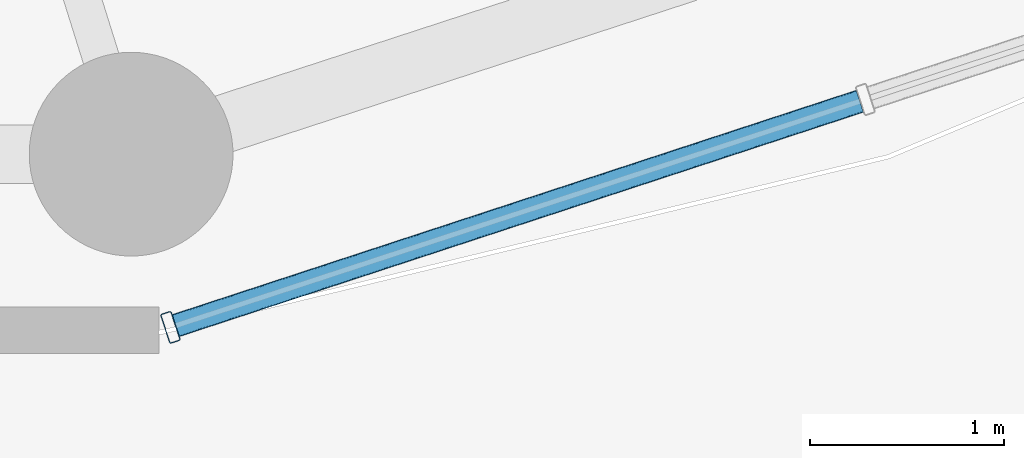
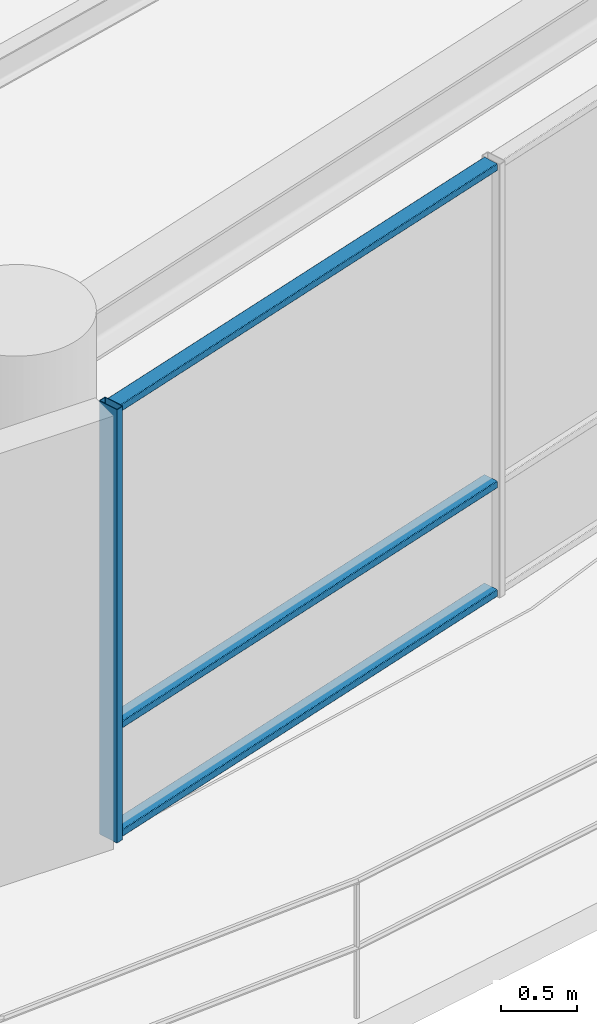
# One storey, part 4 of 30: 4 members, 1 element without a shape of its own.
"""IFC4 building model written with IfcOpenShell, lengths in metres."""

from ifc_helpers import new_model, si_unit, direction, frame, origin, origin_2d, place, context, subcontext, project, spatial, hollow_rectangle, extrude, material, layer, layer_set, material_profile, profile_set, type_object, element, aggregate, save


model = new_model("IFC4")

# Units and contexts
model_context = context("Model", 3, precision=1e-05, world=origin(), true_north=direction((0.0, 1.0)))
body_context = subcontext(model_context, "Body", "Model", "MODEL_VIEW")
ifc_project = project(units=[si_unit("LENGTHUNIT", "METRE"), si_unit("AREAUNIT", "SQUARE_METRE"), si_unit("VOLUMEUNIT", "CUBIC_METRE"), si_unit("PLANEANGLEUNIT", "RADIAN"), si_unit("MASSUNIT", "GRAM", prefix="KILO")], contexts=[model_context])

# Site, building, storey
site_placement = place(None, origin())
site = spatial("IfcSite", under=ifc_project, at=site_placement, CompositionType="ELEMENT")
building_placement = place(site_placement, origin())
building = spatial("IfcBuilding", under=site, at=building_placement, Name="Kelanora Arch Commons", CompositionType="ELEMENT")
storey_placement = place(building_placement, frame((0.0, 0.0, 215.699951171875)))
storey = spatial("IfcBuildingStorey", under=building, at=storey_placement, Name="L55", CompositionType="ELEMENT", Elevation=215.699951171875)

# Curtain wall, members
ifc_material_1 = material(Name="Terracotta ceramic-fritted low-E glass and aluminium", Category="masonry")
ifc_layer = layer(ifc_material_1, 0.175048828125)
ifc_layer_set = layer_set([ifc_layer], Name="Terracotta ceramic-fritted low-E glass and aluminium")
curtain_wall_type = type_object("IfcCurtainWallType", Name="CW-SYS-02", PredefinedType="NOTDEFINED", material=ifc_layer_set)
curtain_wall_placement = place(storey_placement, origin())
curtain_wall = element("IfcCurtainWall", 1, at=curtain_wall_placement, inside=storey, type_object=curtain_wall_type, Name="Unitised Curtain Wall L55-B14", PredefinedType="NOTDEFINED")
ifc_material_2 = material(Name="Powder-coated aluminium terracotta", Category="masonry")
ifc_material_profile_1 = material_profile(ifc_material_2, hollow_rectangle(XDim=0.159912109375, YDim=0.06005859375, WallThickness=0.0048828125, InnerFilletRadius=0.0048828125, OuterFilletRadius=0.010009765625, at=origin_2d()), Name="CWM160x60")
ifc_profile_set_1 = profile_set([ifc_material_profile_1], Name="Powder-coated aluminium terracotta")
member_type_1 = type_object("IfcMemberType", Name="CWM-STD", PredefinedType="MULLION", material=ifc_profile_set_1)
member_1_placement = place(storey_placement, frame((77.897705078125, 38.31787109375, 0.0), z_axis=(0.0, 0.0, 1.0), x_axis=(-0.311582439059, 0.950219124029, 0.0)))
member_1 = element("IfcMember", 2, at=member_1_placement, type_object=member_type_1, Name="CW-02 mullion 1", PredefinedType="MULLION", context=body_context, shape_type="SweptSolid", body=[
    extrude(hollow_rectangle(XDim=0.159912109375, YDim=0.06005859375, WallThickness=0.0048828125, InnerFilletRadius=0.0048828125, OuterFilletRadius=0.010009765625, at=origin_2d()), origin(), (0.0, 0.0, 1.0), 3.47509765625),
])
ifc_material_profile_2 = material_profile(ifc_material_2, hollow_rectangle(XDim=0.1201171875, YDim=0.06005859375, WallThickness=0.0048828125, InnerFilletRadius=0.0048828125, OuterFilletRadius=0.010009765625, at=origin_2d()), Name="CWT120x60")
ifc_profile_set_2 = profile_set([ifc_material_profile_2], Name="Powder-coated aluminium terracotta")
member_type_2 = type_object("IfcMemberType", Name="CWT-STD", PredefinedType="USERDEFINED", material=ifc_profile_set_2)
member_2_placement = place(storey_placement, frame((77.92626953125, 38.3271484375, 0.030029296875), z_axis=(0.950206527055, 0.311620852867, 0.0), x_axis=(-0.311620852867, 0.950206527055, 0.0)))
member_2 = element("IfcMember", 3, at=member_2_placement, type_object=member_type_2, Name="CW-02 transom 1.1", ObjectType="TRANSOM", PredefinedType="USERDEFINED", context=body_context, shape_type="SweptSolid", body=[
    extrude(hollow_rectangle(XDim=0.1201171875, YDim=0.06005859375, WallThickness=0.0048828125, InnerFilletRadius=0.0048828125, OuterFilletRadius=0.010009765625, at=origin_2d()), origin(), (0.0, 0.0, 1.0), 3.707275390625),
])
member_3_placement = place(storey_placement, frame((77.92626953125, 38.3271484375, 0.900146484375), z_axis=(0.950206527055, 0.311620852867, 0.0), x_axis=(-0.311620852867, 0.950206527055, 0.0)))
member_3 = element("IfcMember", 4, at=member_3_placement, type_object=member_type_2, Name="CW-02 transom 1.2", ObjectType="TRANSOM", PredefinedType="USERDEFINED", context=body_context, shape_type="SweptSolid", body=[
    extrude(hollow_rectangle(XDim=0.1201171875, YDim=0.06005859375, WallThickness=0.0048828125, InnerFilletRadius=0.0048828125, OuterFilletRadius=0.010009765625, at=origin_2d()), origin(), (0.0, 0.0, 1.0), 3.707275390625),
])
member_4_placement = place(storey_placement, frame((77.92626953125, 38.3271484375, 3.445068359375), z_axis=(0.950206527055, 0.311620852867, 0.0), x_axis=(-0.311620852867, 0.950206527055, 0.0)))
member_4 = element("IfcMember", 5, at=member_4_placement, type_object=member_type_2, Name="CW-02 transom 1.3", ObjectType="TRANSOM", PredefinedType="USERDEFINED", context=body_context, shape_type="SweptSolid", body=[
    extrude(hollow_rectangle(XDim=0.1201171875, YDim=0.06005859375, WallThickness=0.0048828125, InnerFilletRadius=0.0048828125, OuterFilletRadius=0.010009765625, at=origin_2d()), origin(), (0.0, 0.0, 1.0), 3.707275390625),
])
aggregate(curtain_wall, [member_1, member_2, member_3, member_4])

save(model, "model.ifc")
